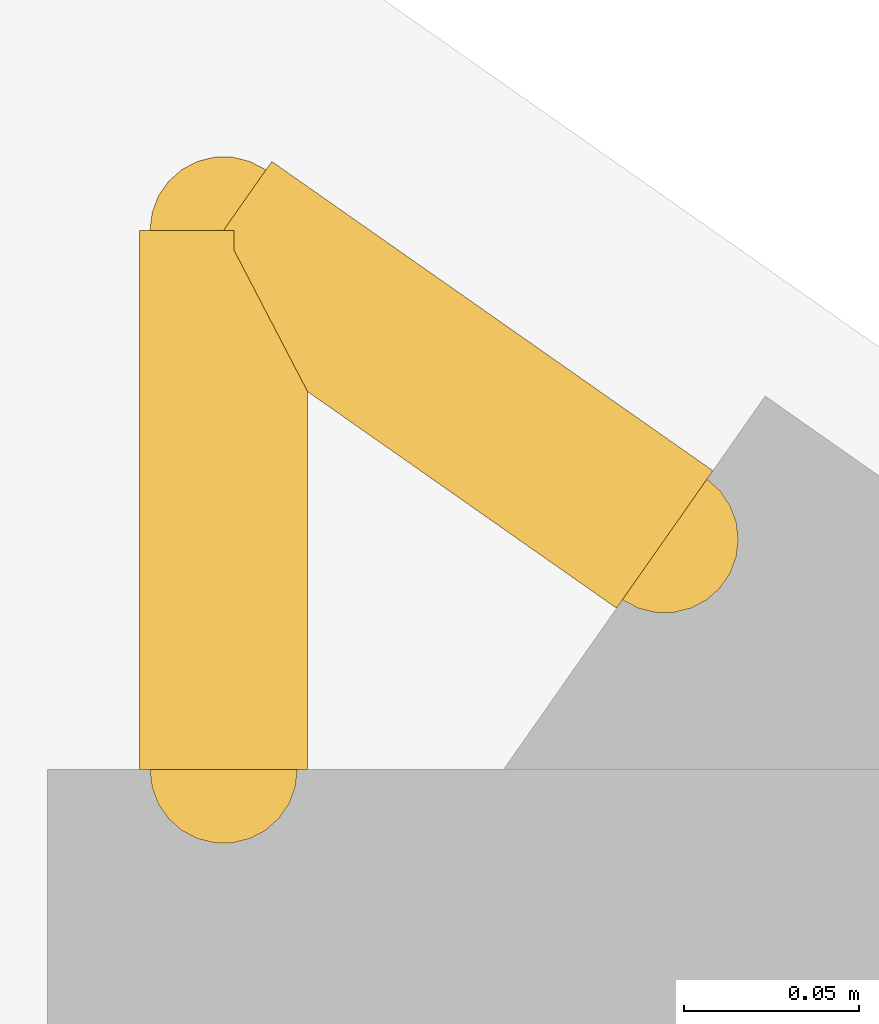
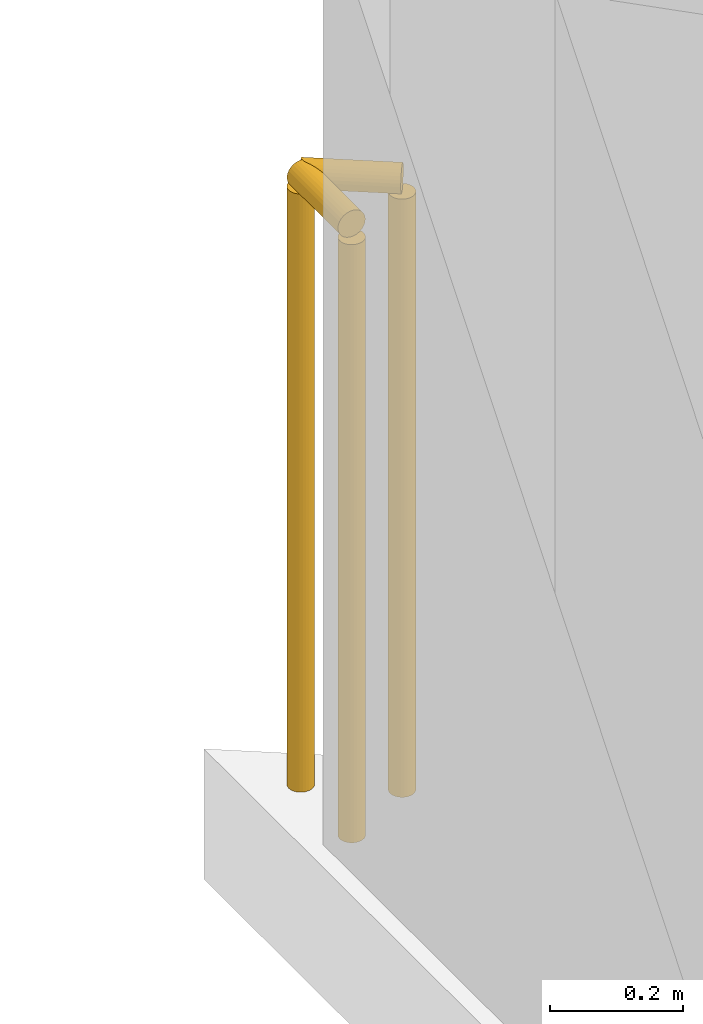
# One storey, part 15 of 15: 2 railings.
"""IFC4 building model written with IfcOpenShell, lengths in metres."""

from ifc_helpers import new_model, si_unit, direction, frame, origin, origin_2d, place, context, subcontext, project, spatial, circle, extrude, material, type_object, element, save


model = new_model("IFC4")

# Units and contexts
model_context = context("Model", 3, precision=1e-05, world=origin(), true_north=direction((0.0, 1.0)))
body_context = subcontext(model_context, "Body", "Model", "MODEL_VIEW")
ifc_project = project(units=[si_unit("LENGTHUNIT", "METRE"), si_unit("AREAUNIT", "SQUARE_METRE"), si_unit("VOLUMEUNIT", "CUBIC_METRE"), si_unit("PLANEANGLEUNIT", "RADIAN"), si_unit("MASSUNIT", "GRAM", prefix="KILO")], contexts=[model_context])

# Site, building, storey
site_placement = place(None, origin())
site = spatial("IfcSite", under=ifc_project, at=site_placement, CompositionType="ELEMENT")
building_placement = place(site_placement, origin())
building = spatial("IfcBuilding", under=site, at=building_placement, Name="Varnakote Quay Hospital", CompositionType="ELEMENT")
storey_placement = place(building_placement, frame((0.0, 0.0, 231.60009765625)))
storey = spatial("IfcBuildingStorey", under=building, at=storey_placement, Name="L57", CompositionType="ELEMENT", Elevation=231.60009765625)

# Railings
ifc_material = material(Name="Anodised aluminium 6063-T6 Bronze", Category="aluminium")
railing_type = type_object("IfcRailingType", Name="RLG-EXT-GUARD-1150", PredefinedType="GUARDRAIL", material=ifc_material)
railing_1_placement = place(storey_placement, frame((2.580078125, 42.492431640625, 0.0)))
element("IfcRailing", 1, at=railing_1_placement, inside=storey, type_object=railing_type, Name="L57 Slab Edge Perimeter Safety Guard", PredefinedType="GUARDRAIL", context=body_context, shape_type="SweptSolid", body=[
    extrude(circle(Radius=0.02392578125, at=origin_2d()), frame((0.0, 0.0, 1.1259765625), z_axis=(0.0, 1.0, 0.0), x_axis=(-1.0, 0.0, 0.0)), (0.0, 0.0, 1.0), 0.15380859375),
    extrude(circle(Radius=0.02099609375, at=origin_2d()), origin(), (0.0, 0.0, 1.0), 1.101806640625),
    extrude(circle(Radius=0.02099609375, at=origin_2d()), frame((0.0, 0.15380859375, 0.0)), (0.0, 0.0, 1.0), 1.101806640625),
])
railing_2_placement = place(storey_placement, frame((2.580078125, 42.646240234375, 0.0)))
element("IfcRailing", 2, at=railing_2_placement, inside=storey, type_object=railing_type, Name="L57 Slab Edge Perimeter Safety Guard", PredefinedType="GUARDRAIL", context=body_context, shape_type="SweptSolid", body=[
    extrude(circle(Radius=0.02392578125, at=origin_2d()), frame((0.0, 0.0, 1.1259765625), z_axis=(0.818858253068, -0.57399578516, 0.0), x_axis=(0.57399578516, 0.818858253068, 0.0)), (0.0, 0.0, 1.0), 0.153564453125),
    extrude(circle(Radius=0.02099609375, at=origin_2d()), origin(), (0.0, 0.0, 1.0), 1.101806640625),
    extrude(circle(Radius=0.02099609375, at=origin_2d()), frame((0.125732421875, -0.088134765625, 0.0)), (0.0, 0.0, 1.0), 1.101806640625),
])

save(model, "model.ifc")
